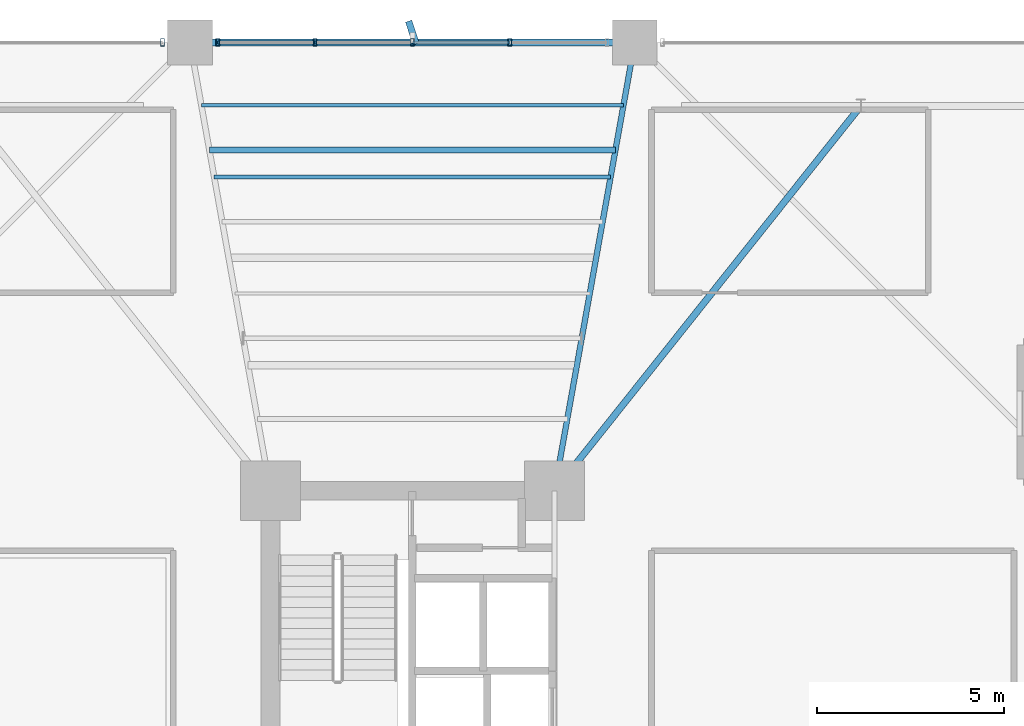
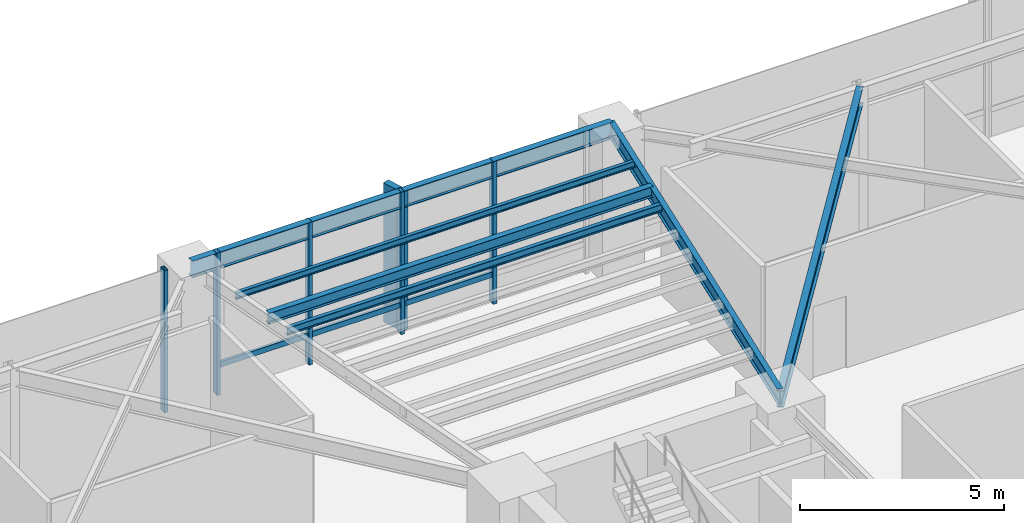
# One storey, part 15 of 26: 9 members, 6 beams, 2 elements without a shape of their own.
"""IFC4 building model written with IfcOpenShell, lengths in metres."""

import ifcopenshell
import ifcopenshell.guid

model = None  # the IFC model being written
_history = None  # IfcOwnerHistory: only IFC2X3 demands one
_inside = {}  # id of a spatial element -> (the spatial element, [elements in it])
_under = {}  # id of a project, library or spatial element -> (it, [spatial elements below it])
_declared = {}  # id of a project -> (the project, [libraries it declares])
_typed = {}  # id of a type object -> (the type object, [elements of that type])
_made_of = {}  # id of a material, layer set ... -> (it, [elements and type objects made of it])


def new_model(schema):
    """Start an empty IFC model of exactly this schema.

    Asked for "IFC4X3", IfcOpenShell would pick the latest addendum, in which some entities
    have other attributes; the version numbers below select the first issue.
    IFC2X3 requires an IfcOwnerHistory on every rooted entity: one is made here for all.
    """
    global model, _history
    if schema == "IFC4X3":
        model = ifcopenshell.file(schema_version=(4, 3, 0, 0))
    else:
        model = ifcopenshell.file(schema=schema)
    _inside.clear()
    _under.clear()
    _declared.clear()
    _typed.clear()
    _made_of.clear()
    _history = None
    if model.schema == "IFC2X3":
        org = make("IfcOrganization", Name="unknown")
        user = make(
            "IfcPersonAndOrganization",
            ThePerson=make("IfcPerson", FamilyName="unknown"),
            TheOrganization=org,
        )
        app = make(
            "IfcApplication",
            ApplicationDeveloper=org,
            Version="unknown",
            ApplicationFullName="unknown",
            ApplicationIdentifier="unknown",
        )
        _history = make(
            "IfcOwnerHistory",
            OwningUser=user,
            OwningApplication=app,
            ChangeAction="ADDED",
            CreationDate=0,
        )
    return model


def make(cls, **values):
    """One entity of the class cls with the attributes given. An attribute that is None is left unset."""
    return model.create_entity(
        cls, **{name: value for name, value in values.items() if value is not None}
    )


def rooted(cls, **values):
    """An entity with a GlobalId (a new one), such as an element, a storey or a relation."""
    return make(cls, GlobalId=ifcopenshell.guid.new(), OwnerHistory=_history, **values)


def si_unit(unit_type, name, prefix=None):
    """IfcSIUnit, for example si_unit("LENGTHUNIT", "METRE", prefix="MILLI")."""
    return make("IfcSIUnit", UnitType=unit_type, Prefix=prefix, Name=name)


def assignment(units):
    """IfcUnitAssignment: the units of a project."""
    return None if units is None else make("IfcUnitAssignment", Units=units)


def point(xyz):
    """IfcCartesianPoint."""
    return None if xyz is None else make("IfcCartesianPoint", Coordinates=xyz)


def direction(xyz):
    """IfcDirection."""
    return None if xyz is None else make("IfcDirection", DirectionRatios=xyz)


def frame(location, z_axis=None, x_axis=None):
    """IfcAxis2Placement3D, a coordinate frame: its origin and axes. An axis left out is left unset."""
    return make(
        "IfcAxis2Placement3D",
        Location=point(location),
        Axis=direction(z_axis),
        RefDirection=direction(x_axis),
    )


def frame_2d(location, x_axis=None):
    """IfcAxis2Placement2D, a coordinate frame in the plane: its origin and x axis."""
    return make(
        "IfcAxis2Placement2D", Location=point(location), RefDirection=direction(x_axis)
    )


def origin():
    """The frame at (0, 0, 0) with its axes left unset."""
    return frame((0.0, 0.0, 0.0))


def origin_2d():
    """The frame at (0, 0) in the plane with its x axis left unset."""
    return frame_2d((0.0, 0.0))


def place(relative_to, where):
    """IfcLocalPlacement: puts the frame where relative to a parent placement (None: the world)."""
    return make(
        "IfcLocalPlacement", PlacementRelTo=relative_to, RelativePlacement=where
    )


def context(
    kind, dimensions, precision=None, world=None, true_north=None, identifier=None
):
    """IfcGeometricRepresentationContext, for example the 3D "Model" context."""
    return make(
        "IfcGeometricRepresentationContext",
        ContextIdentifier=identifier,
        ContextType=kind,
        CoordinateSpaceDimension=dimensions,
        Precision=precision,
        WorldCoordinateSystem=world,
        TrueNorth=true_north,
    )


def subcontext(parent, identifier, kind, view, scale=None):
    """IfcGeometricRepresentationSubContext, for example "Body" below "Model"."""
    return make(
        "IfcGeometricRepresentationSubContext",
        ContextIdentifier=identifier,
        ContextType=kind,
        ParentContext=parent,
        TargetScale=scale,
        TargetView=view,
    )


def project(units=None, contexts=None):
    """IfcProject with its units and contexts."""
    return rooted(
        "IfcProject",
        Name="project",
        RepresentationContexts=contexts,
        UnitsInContext=assignment(units),
    )


def spatial(cls, under=None, at=None, **own):
    """A site, building, storey or space (cls), placed at a placement, below another one or the project."""
    s = rooted(cls, ObjectPlacement=at, **own)
    if under is not None:
        _under.setdefault(under.id(), (under, []))[1].append(s)
    return s


def profile(cls, at=None, kind="AREA", **sizes):
    """A parametric profile (cls). Its sizes go by their IFC names, for example OverallWidth=200.0."""
    return make(cls, ProfileType=kind, Position=at, **sizes)


def rectangle(**sizes):
    """IfcRectangleProfileDef."""
    return profile("IfcRectangleProfileDef", **sizes)


def hollow_rectangle(**sizes):
    """IfcRectangleHollowProfileDef."""
    return profile("IfcRectangleHollowProfileDef", **sizes)


def i_section(**sizes):
    """IfcIShapeProfileDef."""
    return profile("IfcIShapeProfileDef", **sizes)


def extrude(swept, where, along, depth):
    """IfcExtrudedAreaSolid: the profile swept, set in the frame where, extruded along a direction by depth."""
    return make(
        "IfcExtrudedAreaSolid",
        SweptArea=swept,
        Position=where,
        ExtrudedDirection=direction(along),
        Depth=depth,
    )


def shape(context_of_items, identifier, shape_type, items):
    """IfcShapeRepresentation: the items that make up one representation, for example the "Body"."""
    return make(
        "IfcShapeRepresentation",
        ContextOfItems=context_of_items,
        RepresentationIdentifier=identifier,
        RepresentationType=shape_type,
        Items=items,
    )


def source(mapping_origin, context_of_items, identifier, shape_type, items):
    """IfcRepresentationMap: a shape defined once, which mapped items show again and again."""
    return make(
        "IfcRepresentationMap",
        MappingOrigin=mapping_origin,
        MappedRepresentation=shape(context_of_items, identifier, shape_type, items),
    )


def transform(
    local_origin,
    x_axis=None,
    y_axis=None,
    z_axis=None,
    scale=None,
    scale2=None,
    scale3=None,
    uniform=True,
):
    """IfcCartesianTransformationOperator3D, or its non-uniform kind. x_axis, y_axis, z_axis: its Axis1, 2, 3."""
    if uniform:
        return make(
            "IfcCartesianTransformationOperator3D",
            Axis1=direction(x_axis),
            Axis2=direction(y_axis),
            LocalOrigin=point(local_origin),
            Scale=scale,
            Axis3=direction(z_axis),
        )
    return make(
        "IfcCartesianTransformationOperator3DnonUniform",
        Axis1=direction(x_axis),
        Axis2=direction(y_axis),
        LocalOrigin=point(local_origin),
        Scale=scale,
        Axis3=direction(z_axis),
        Scale2=scale2,
        Scale3=scale3,
    )


def mapped(mapping_source, mapping_target):
    """IfcMappedItem: shows the shape of a source again, moved by a transform."""
    return make(
        "IfcMappedItem", MappingSource=mapping_source, MappingTarget=mapping_target
    )


def material(Name=None, Category=None):
    """IfcMaterial."""
    return make("IfcMaterial", Name=Name, Category=Category)


def material_profile(
    of_material, cross_section, Name=None, Category=None, Priority=None
):
    """IfcMaterialProfile: a cross section and its material."""
    return make(
        "IfcMaterialProfile",
        Name=Name,
        Material=of_material,
        Profile=cross_section,
        Priority=Priority,
        Category=Category,
    )


def profile_set(profiles, Name=None, composite=None):
    """IfcMaterialProfileSet."""
    return make(
        "IfcMaterialProfileSet",
        Name=Name,
        MaterialProfiles=profiles,
        CompositeProfile=composite,
    )


def made_of(thing, what):
    """Note that an element or type object is made of a material, layer set ...; save() writes the relation."""
    if what is not None:
        _made_of.setdefault(what.id(), (what, []))[1].append(thing)
    return thing


def type_object(cls, material=None, **own):
    """A type object (cls), such as IfcWallType, which elements share."""
    return made_of(rooted(cls, **own), material)


def element(
    cls,
    number,
    at=None,
    inside=None,
    cuts=None,
    type_object=None,
    material=None,
    context=None,
    identifier="Body",
    shape_type=None,
    held_by="IfcProductDefinitionShape",
    body=None,
    shapes=None,
    **own,
):
    """One element of the class cls, such as IfcWall. Its Tag is "e" and its number.

    at: its placement. inside: the storey or other place that contains it. cuts: it is an
    opening in that element (IfcRelVoidsElement). A single representation is given by context,
    identifier, shape_type and body (its items); several are given by shapes. held_by: the class
    of the entity that holds the representations. save() writes the other relations.
    """
    e = rooted(cls, Tag="e%d" % number, ObjectPlacement=at, **own)
    if body is not None:
        shapes = [shape(context, identifier, shape_type, body)]
    if shapes is not None:
        e.Representation = make(held_by, Representations=shapes)
    if inside is not None:
        _inside.setdefault(inside.id(), (inside, []))[1].append(e)
    if cuts is not None:
        rooted(
            "IfcRelVoidsElement", RelatingBuildingElement=cuts, RelatedOpeningElement=e
        )
    if type_object is not None:
        _typed.setdefault(type_object.id(), (type_object, []))[1].append(e)
    return made_of(e, material)


def aggregate(whole, parts):
    """IfcRelAggregates: a whole, such as a stair, and the parts it consists of."""
    return rooted("IfcRelAggregates", RelatingObject=whole, RelatedObjects=parts)


def save(model, path):
    """Write the relations noted so far, then the file.

    IfcRelAggregates (storeys below a building ...), IfcRelContainedInSpatialStructure (elements
    in a storey), IfcRelDefinesByType, IfcRelAssociatesMaterial and IfcRelDeclares: one each for
    every whole, place, type object, material and project.
    """
    for whole, parts in _under.values():
        aggregate(whole, parts)
    for where, things in _inside.values():
        rooted(
            "IfcRelContainedInSpatialStructure",
            RelatedElements=things,
            RelatingStructure=where,
        )
    for kind, things in _typed.values():
        rooted("IfcRelDefinesByType", RelatedObjects=things, RelatingType=kind)
    for what, things in _made_of.values():
        rooted("IfcRelAssociatesMaterial", RelatedObjects=things, RelatingMaterial=what)
    for by, libraries in _declared.values():
        rooted("IfcRelDeclares", RelatingContext=by, RelatedDefinitions=libraries)
    model.write(path)


model = new_model("IFC4")

# Units and contexts
model_context = context("Model", 3, precision=1e-05, world=origin(), true_north=direction((0.0, 1.0)))
body_context = subcontext(model_context, "Body", "Model", "MODEL_VIEW")
ifc_project = project(units=[si_unit("LENGTHUNIT", "METRE"), si_unit("AREAUNIT", "SQUARE_METRE"), si_unit("VOLUMEUNIT", "CUBIC_METRE"), si_unit("PLANEANGLEUNIT", "RADIAN"), si_unit("MASSUNIT", "GRAM", prefix="KILO")], contexts=[model_context])

# Site, building, storey
site_placement = place(None, origin())
site = spatial("IfcSite", under=ifc_project, at=site_placement, CompositionType="ELEMENT")
building_placement = place(site_placement, origin())
building = spatial("IfcBuilding", under=site, at=building_placement, Name="Sahyath Konkavel Grand Hotel", CompositionType="ELEMENT")
storey_placement = place(building_placement, frame((0.0, 0.0, 18.60009765625)))
storey = spatial("IfcBuildingStorey", under=building, at=storey_placement, Name="L04", CompositionType="ELEMENT", Elevation=18.60009765625)

# Beams
ifc_material_1 = material(Name="Steel E350", Category="steel")
ifc_material_profile_1 = material_profile(ifc_material_1, i_section(OverallWidth=0.179931640625, OverallDepth=0.5, WebThickness=0.01025390625, FlangeThickness=0.01708984375, FilletRadius=0.01708984375, at=origin_2d()), Name="ISMB 500")
ifc_profile_set_1 = profile_set([ifc_material_profile_1], Name="Steel E350")
beam_type_1 = type_object("IfcBeamType", Name="BM-ISMB500", PredefinedType="BEAM", material=ifc_profile_set_1)
shared_shape_1 = source(origin(), body_context, "Body", "SweptSolid", [
    extrude(i_section(OverallWidth=0.179931640625, OverallDepth=0.5, WebThickness=0.01025390625, FlangeThickness=0.01708984375, FilletRadius=0.01708984375, at=origin_2d()), origin(), (0.0, 0.0, 1.0), 13.16552734375),
])
beam_1_placement = place(storey_placement, frame((12.0, 20.5, 3.949951171875), z_axis=(-0.622836622372, -0.782351929653, 0.0), x_axis=(0.782351929653, -0.622836622372, 0.0)))
element("IfcBeam", 1, at=beam_1_placement, inside=storey, type_object=beam_type_1, Name="str:bm:L04:POD34-11", PredefinedType="BEAM", context=body_context, shape_type="MappedRepresentation", body=[
    mapped(shared_shape_1, transform((0.0, 0.0, 0.0), scale=1.0)),
])
shared_shape_2 = source(origin(), body_context, "Body", "SweptSolid", [
    extrude(i_section(OverallWidth=0.179931640625, OverallDepth=0.5, WebThickness=0.01025390625, FlangeThickness=0.01708984375, FilletRadius=0.01708984375, at=origin_2d()), origin(), (0.0, 0.0, 1.0), 11.89990234375),
])
beam_2_placement = place(storey_placement, frame((5.949951171875, 22.199951171875, 4.010009765625), z_axis=(-1.0, 0.0, 0.0), x_axis=(0.0, -1.0, 0.0)))
element("IfcBeam", 2, at=beam_2_placement, inside=storey, type_object=beam_type_1, Name="L04 Wing Tip Edge Beam N", PredefinedType="BEAM", context=body_context, shape_type="MappedRepresentation", body=[
    mapped(shared_shape_2, transform((0.0, 0.0, 0.0), scale=1.0)),
])
ifc_material_profile_2 = material_profile(ifc_material_1, i_section(OverallWidth=0.1650390625, OverallDepth=0.324951171875, WebThickness=0.007080078125, FlangeThickness=0.009765625, FilletRadius=0.014892578125, at=origin_2d()), Name="ISLB 325")
ifc_profile_set_2 = profile_set([ifc_material_profile_2], Name="Steel E350")
beam_type_2 = type_object("IfcBeamType", Name="BM-ISLB325", PredefinedType="BEAM", material=ifc_profile_set_2)
shared_shape_3 = source(origin(), body_context, "Body", "SweptSolid", [
    extrude(i_section(OverallWidth=0.1650390625, OverallDepth=0.324951171875, WebThickness=0.007080078125, FlangeThickness=0.009765625, FilletRadius=0.014892578125, at=origin_2d()), origin(), (0.0, 0.0, 1.0), 10.8681640625),
])
beam_3_placement = place(storey_placement, frame((5.43408203125, 19.320068359375, 4.097412109375), z_axis=(-1.0, 0.0, 0.0), x_axis=(0.0, -1.0, 0.0)))
element("IfcBeam", 3, at=beam_3_placement, inside=storey, type_object=beam_type_2, Name="L04 Secondary Floor Beam N-3", PredefinedType="BEAM", context=body_context, shape_type="MappedRepresentation", body=[
    mapped(shared_shape_3, transform((0.0, 0.0, 0.0), scale=1.0)),
])
ifc_material_profile_3 = material_profile(ifc_material_1, i_section(OverallWidth=0.14990234375, OverallDepth=0.449951171875, WebThickness=0.009521484375, FlangeThickness=0.017333984375, FilletRadius=0.014892578125, at=origin_2d()), Name="ISMB 450")
ifc_profile_set_3 = profile_set([ifc_material_profile_3], Name="Steel E350")
beam_type_3 = type_object("IfcBeamType", Name="BM-ISMB450", PredefinedType="BEAM", material=ifc_profile_set_3)
shared_shape_4 = source(origin(), body_context, "Body", "SweptSolid", [
    extrude(i_section(OverallWidth=0.14990234375, OverallDepth=0.449951171875, WebThickness=0.009521484375, FlangeThickness=0.017333984375, FilletRadius=0.014892578125, at=origin_2d()), origin(), (0.0, 0.0, 1.0), 12.191162109375),
])
beam_4_placement = place(storey_placement, frame((3.800048828125, 10.199951171875, 4.034912109375), z_axis=(0.176350650305, 0.984327409014, 0.0), x_axis=(-0.984327409014, 0.176350650305, 0.0)))
element("IfcBeam", 4, at=beam_4_placement, inside=storey, type_object=beam_type_3, Name="L04 Cruciform Radial Girder NA", PredefinedType="BEAM", context=body_context, shape_type="MappedRepresentation", body=[
    mapped(shared_shape_4, transform((0.0, 0.0, 0.0), scale=1.0)),
])
ifc_material_profile_4 = material_profile(ifc_material_1, i_section(OverallWidth=0.110107421875, OverallDepth=0.22509765625, WebThickness=0.006591796875, FlangeThickness=0.01171875, FilletRadius=0.011962890625, at=origin_2d()), Name="ISMB 225")
ifc_profile_set_4 = profile_set([ifc_material_profile_4], Name="Steel E350")
beam_type_4 = type_object("IfcBeamType", Name="BM-ISMB225", PredefinedType="BEAM", material=ifc_profile_set_4)
shared_shape_5 = source(origin(), body_context, "Body", "SweptSolid", [
    extrude(i_section(OverallWidth=0.110107421875, OverallDepth=0.22509765625, WebThickness=0.006591796875, FlangeThickness=0.01171875, FilletRadius=0.011962890625, at=origin_2d()), origin(), (0.0, 0.0, 1.0), 10.60986328125),
])
beam_5_placement = place(storey_placement, frame((5.304931640625, 18.60009765625, 4.08740234375), z_axis=(-1.0, 0.0, 0.0), x_axis=(0.0, -1.0, 0.0)))
element("IfcBeam", 5, at=beam_5_placement, inside=storey, type_object=beam_type_4, Name="L04 Composite Deck Sub-Beam N-5", PredefinedType="BEAM", context=body_context, shape_type="MappedRepresentation", body=[
    mapped(shared_shape_5, transform((0.0, 0.0, 0.0), scale=1.0)),
])
ifc_material_profile_5 = material_profile(ifc_material_1, i_section(OverallWidth=0.10009765625, OverallDepth=0.199951171875, WebThickness=0.005615234375, FlangeThickness=0.0107421875, FilletRadius=0.010986328125, at=origin_2d()), Name="ISMB 200")
ifc_profile_set_5 = profile_set([ifc_material_profile_5], Name="Steel E350")
beam_type_5 = type_object("IfcBeamType", Name="BM-ISMB200", PredefinedType="BEAM", material=ifc_profile_set_5)
shared_shape_6 = source(origin(), body_context, "Body", "SweptSolid", [
    extrude(i_section(OverallWidth=0.10009765625, OverallDepth=0.199951171875, WebThickness=0.005615234375, FlangeThickness=0.0107421875, FilletRadius=0.010986328125, at=origin_2d()), origin(), (0.0, 0.0, 1.0), 11.2978515625),
])
beam_6_placement = place(storey_placement, frame((5.64892578125, 20.52001953125, 4.099853515625), z_axis=(-1.0, 0.0, 0.0), x_axis=(0.0, -1.0, 0.0)))
element("IfcBeam", 6, at=beam_6_placement, inside=storey, type_object=beam_type_5, Name="L04 Composite Deck Sub-Beam N-6", PredefinedType="BEAM", context=body_context, shape_type="MappedRepresentation", body=[
    mapped(shared_shape_6, transform((0.0, 0.0, 0.0), scale=1.0)),
])

# Curtain wall, members
ifc_material_2 = material(Name="Anodised Bronze Aluminium & Low-E Glazing", Category="aluminium")
curtain_wall_type = type_object("IfcCurtainWallType", Name="CW-PODIUM", PredefinedType="NOTDEFINED", material=ifc_material_2)
curtain_wall_1_placement = place(storey_placement, origin())
curtain_wall_1 = element("IfcCurtainWall", 7, at=curtain_wall_1_placement, inside=storey, type_object=curtain_wall_type, Name="L04 Unitised Curtain Wall N2", PredefinedType="NOTDEFINED")
ifc_material_3 = material(Name="Anodised Bronze Aluminium", Category="aluminium")
ifc_material_profile_6 = material_profile(ifc_material_3, hollow_rectangle(XDim=0.10009765625, YDim=0.199951171875, WallThickness=0.008056640625, at=origin_2d()), Name="RHS 200x100x8")
ifc_profile_set_6 = profile_set([ifc_material_profile_6], Name="Anodised Bronze Aluminium")
member_type_1 = type_object("IfcMemberType", Name="CW-MUL-200", PredefinedType="MULLION", material=ifc_profile_set_6)
shared_shape_7 = source(origin(), body_context, "Body", "SweptSolid", [
    extrude(hollow_rectangle(XDim=0.10009765625, YDim=0.199951171875, WallThickness=0.008056640625, at=origin_2d()), origin(), (0.0, 0.0, 1.0), 4.260009765625),
])
member_1_placement = place(storey_placement, frame((2.60498046875, 22.199951171875, 0.0), z_axis=(0.0, 0.0, 1.0), x_axis=(1.0, 0.0, 0.0)))
member_1 = element("IfcMember", 8, at=member_1_placement, type_object=member_type_1, Name="L04 Curtain Wall Mullion N2-1", PredefinedType="MULLION", context=body_context, shape_type="MappedRepresentation", body=[
    mapped(shared_shape_7, transform((0.0, 0.0, 0.0), scale=1.0)),
])
member_2_placement = place(storey_placement, frame((0.0, 22.199951171875, 0.0), z_axis=(0.0, 0.0, 1.0), x_axis=(1.0, 0.0, 0.0)))
member_2 = element("IfcMember", 9, at=member_2_placement, type_object=member_type_1, Name="L04 Curtain Wall Mullion N2-2", PredefinedType="MULLION", context=body_context, shape_type="MappedRepresentation", body=[
    mapped(shared_shape_7, transform((0.0, 0.0, 0.0), scale=1.0)),
])
member_3_placement = place(storey_placement, frame((-2.60498046875, 22.199951171875, 0.0), z_axis=(0.0, 0.0, 1.0), x_axis=(1.0, 0.0, 0.0)))
member_3 = element("IfcMember", 10, at=member_3_placement, type_object=member_type_1, Name="L04 Curtain Wall Mullion N2-3", PredefinedType="MULLION", context=body_context, shape_type="MappedRepresentation", body=[
    mapped(shared_shape_7, transform((0.0, 0.0, 0.0), scale=1.0)),
])
member_4_placement = place(storey_placement, frame((-5.2099609375, 22.199951171875, 0.0), z_axis=(0.0, 0.0, 1.0), x_axis=(1.0, 0.0, 0.0)))
member_4 = element("IfcMember", 11, at=member_4_placement, type_object=member_type_1, Name="L04 Curtain Wall Mullion N2-4", PredefinedType="MULLION", context=body_context, shape_type="MappedRepresentation", body=[
    mapped(shared_shape_7, transform((0.0, 0.0, 0.0), scale=1.0)),
])

# Curtain wall, member
curtain_wall_2_placement = place(storey_placement, origin())
curtain_wall_2 = element("IfcCurtainWall", 12, at=curtain_wall_2_placement, inside=storey, type_object=curtain_wall_type, Name="L04 Unitised Curtain Wall N3", PredefinedType="NOTDEFINED")
member_5_placement = place(storey_placement, frame((-6.68994140625, 22.199951171875, 0.0), z_axis=(0.0, 0.0, 1.0), x_axis=(1.0, 0.0, 0.0)))
member_5 = element("IfcMember", 13, at=member_5_placement, type_object=member_type_1, Name="L04 Curtain Wall Mullion N3-0", PredefinedType="MULLION", context=body_context, shape_type="MappedRepresentation", body=[
    mapped(shared_shape_7, transform((0.0, 0.0, 0.0), scale=1.0)),
])
aggregate(curtain_wall_2, [member_5])

# Member
ifc_material_4 = material(Name="Warm Buff Sandstone Cladding on Concrete C50/60", Category="masonry")
ifc_material_profile_7 = material_profile(ifc_material_4, rectangle(XDim=0.179931640625, YDim=0.64990234375, at=origin_2d()), Name="FIN 180x650")
ifc_profile_set_7 = profile_set([ifc_material_profile_7], Name="Warm Buff Sandstone Cladding on Concrete C50/60")
member_type_2 = type_object("IfcMemberType", Name="FIN-SANDSTONE-650", PredefinedType="MULLION", material=ifc_profile_set_7)
shared_shape_8 = source(origin(), body_context, "Body", "SweptSolid", [
    extrude(rectangle(XDim=0.179931640625, YDim=0.64990234375, at=origin_2d()), origin(), (0.0, 0.0, 1.0), 4.16015625),
])
member_6_placement = place(storey_placement, frame((0.0, 22.4599609375, 0.0498046875), z_axis=(0.0, 0.0, 1.0), x_axis=(0.951056516295, 0.309016994375, 0.0)))
member_6 = element("IfcMember", 14, at=member_6_placement, type_object=member_type_2, Name="L04 Sandstone Vertical Solar Fin FIN N2-2", PredefinedType="MULLION", context=body_context, shape_type="MappedRepresentation", body=[
    mapped(shared_shape_8, transform((0.0, 0.0, 0.0), scale=1.0)),
])

ifc_material_profile_8 = material_profile(ifc_material_3, hollow_rectangle(XDim=0.080078125, YDim=0.159912109375, WallThickness=0.006103515625, at=origin_2d()), Name="RHS 160x80x6")
ifc_profile_set_8 = profile_set([ifc_material_profile_8], Name="Anodised Bronze Aluminium")
member_type_3 = type_object("IfcMemberType", Name="CW-TRN-160", PredefinedType="USERDEFINED", material=ifc_profile_set_8)
shared_shape_9 = source(origin(), body_context, "Body", "SweptSolid", [
    extrude(hollow_rectangle(XDim=0.080078125, YDim=0.159912109375, WallThickness=0.006103515625, at=origin_2d()), origin(), (0.0, 0.0, 1.0), 2.60498046875),
])
member_7_placement = place(storey_placement, frame((2.60498046875, 22.199951171875, 0.849853515625), z_axis=(-1.0, 0.0, 0.0), x_axis=(0.0, -1.0, 0.0)))
member_7 = element("IfcMember", 15, at=member_7_placement, type_object=member_type_3, Name="L04 Curtain Wall Transom N2-1-spandrel", ObjectType="TRANSOM", PredefinedType="USERDEFINED", context=body_context, shape_type="MappedRepresentation", body=[
    mapped(shared_shape_9, transform((0.0, 0.0, 0.0), scale=1.0)),
])

member_8_placement = place(storey_placement, frame((0.0, 22.199951171875, 0.849853515625), z_axis=(-1.0, 0.0, 0.0), x_axis=(0.0, -1.0, 0.0)))
member_8 = element("IfcMember", 16, at=member_8_placement, type_object=member_type_3, Name="L04 Curtain Wall Transom N2-2-spandrel", ObjectType="TRANSOM", PredefinedType="USERDEFINED", context=body_context, shape_type="MappedRepresentation", body=[
    mapped(shared_shape_9, transform((0.0, 0.0, 0.0), scale=1.0)),
])

member_9_placement = place(storey_placement, frame((-2.60498046875, 22.199951171875, 0.849853515625), z_axis=(-1.0, 0.0, 0.0), x_axis=(0.0, -1.0, 0.0)))
member_9 = element("IfcMember", 17, at=member_9_placement, type_object=member_type_3, Name="L04 Curtain Wall Transom N2-3-spandrel", ObjectType="TRANSOM", PredefinedType="USERDEFINED", context=body_context, shape_type="MappedRepresentation", body=[
    mapped(shared_shape_9, transform((0.0, 0.0, 0.0), scale=1.0)),
])

aggregate(curtain_wall_1, [member_1, member_2, member_6, member_3, member_4, member_7, member_8, member_9])

save(model, "model.ifc")
